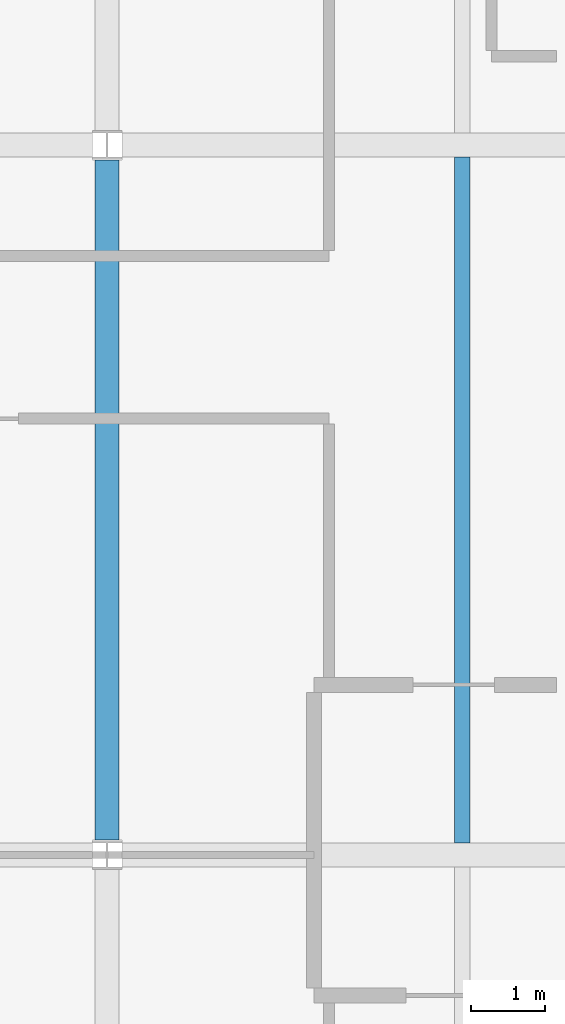
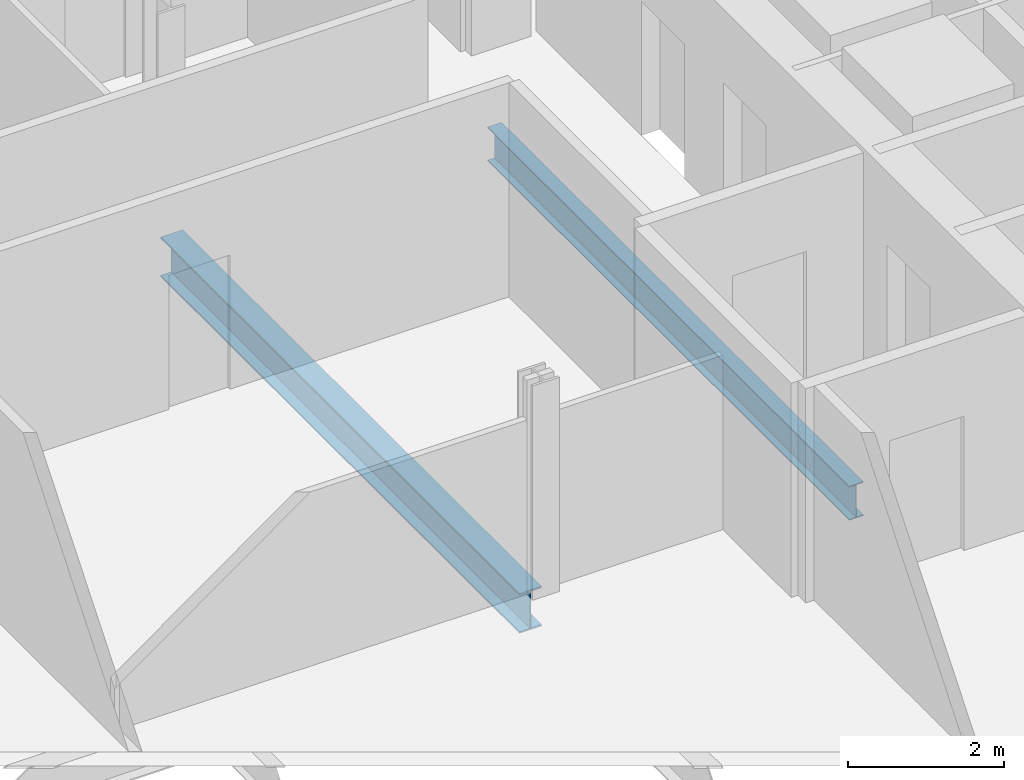
# One storey, part 5 of 20: 2 beams.
"""IFC4 building model written with IfcOpenShell, lengths in metres."""

import ifcopenshell
import ifcopenshell.guid

model = None  # the IFC model being written
_history = None  # IfcOwnerHistory: only IFC2X3 demands one
_inside = {}  # id of a spatial element -> (the spatial element, [elements in it])
_under = {}  # id of a project, library or spatial element -> (it, [spatial elements below it])
_declared = {}  # id of a project -> (the project, [libraries it declares])
_typed = {}  # id of a type object -> (the type object, [elements of that type])
_made_of = {}  # id of a material, layer set ... -> (it, [elements and type objects made of it])


def new_model(schema):
    """Start an empty IFC model of exactly this schema.

    Asked for "IFC4X3", IfcOpenShell would pick the latest addendum, in which some entities
    have other attributes; the version numbers below select the first issue.
    IFC2X3 requires an IfcOwnerHistory on every rooted entity: one is made here for all.
    """
    global model, _history
    if schema == "IFC4X3":
        model = ifcopenshell.file(schema_version=(4, 3, 0, 0))
    else:
        model = ifcopenshell.file(schema=schema)
    _inside.clear()
    _under.clear()
    _declared.clear()
    _typed.clear()
    _made_of.clear()
    _history = None
    if model.schema == "IFC2X3":
        org = make("IfcOrganization", Name="unknown")
        user = make(
            "IfcPersonAndOrganization",
            ThePerson=make("IfcPerson", FamilyName="unknown"),
            TheOrganization=org,
        )
        app = make(
            "IfcApplication",
            ApplicationDeveloper=org,
            Version="unknown",
            ApplicationFullName="unknown",
            ApplicationIdentifier="unknown",
        )
        _history = make(
            "IfcOwnerHistory",
            OwningUser=user,
            OwningApplication=app,
            ChangeAction="ADDED",
            CreationDate=0,
        )
    return model


def make(cls, **values):
    """One entity of the class cls with the attributes given. An attribute that is None is left unset."""
    return model.create_entity(
        cls, **{name: value for name, value in values.items() if value is not None}
    )


def rooted(cls, **values):
    """An entity with a GlobalId (a new one), such as an element, a storey or a relation."""
    return make(cls, GlobalId=ifcopenshell.guid.new(), OwnerHistory=_history, **values)


def si_unit(unit_type, name, prefix=None):
    """IfcSIUnit, for example si_unit("LENGTHUNIT", "METRE", prefix="MILLI")."""
    return make("IfcSIUnit", UnitType=unit_type, Prefix=prefix, Name=name)


def assignment(units):
    """IfcUnitAssignment: the units of a project."""
    return None if units is None else make("IfcUnitAssignment", Units=units)


def point(xyz):
    """IfcCartesianPoint."""
    return None if xyz is None else make("IfcCartesianPoint", Coordinates=xyz)


def direction(xyz):
    """IfcDirection."""
    return None if xyz is None else make("IfcDirection", DirectionRatios=xyz)


def frame(location, z_axis=None, x_axis=None):
    """IfcAxis2Placement3D, a coordinate frame: its origin and axes. An axis left out is left unset."""
    return make(
        "IfcAxis2Placement3D",
        Location=point(location),
        Axis=direction(z_axis),
        RefDirection=direction(x_axis),
    )


def frame_2d(location, x_axis=None):
    """IfcAxis2Placement2D, a coordinate frame in the plane: its origin and x axis."""
    return make(
        "IfcAxis2Placement2D", Location=point(location), RefDirection=direction(x_axis)
    )


def origin():
    """The frame at (0, 0, 0) with its axes left unset."""
    return frame((0.0, 0.0, 0.0))


def origin_2d():
    """The frame at (0, 0) in the plane with its x axis left unset."""
    return frame_2d((0.0, 0.0))


def place(relative_to, where):
    """IfcLocalPlacement: puts the frame where relative to a parent placement (None: the world)."""
    return make(
        "IfcLocalPlacement", PlacementRelTo=relative_to, RelativePlacement=where
    )


def context(
    kind, dimensions, precision=None, world=None, true_north=None, identifier=None
):
    """IfcGeometricRepresentationContext, for example the 3D "Model" context."""
    return make(
        "IfcGeometricRepresentationContext",
        ContextIdentifier=identifier,
        ContextType=kind,
        CoordinateSpaceDimension=dimensions,
        Precision=precision,
        WorldCoordinateSystem=world,
        TrueNorth=true_north,
    )


def subcontext(parent, identifier, kind, view, scale=None):
    """IfcGeometricRepresentationSubContext, for example "Body" below "Model"."""
    return make(
        "IfcGeometricRepresentationSubContext",
        ContextIdentifier=identifier,
        ContextType=kind,
        ParentContext=parent,
        TargetScale=scale,
        TargetView=view,
    )


def project(units=None, contexts=None):
    """IfcProject with its units and contexts."""
    return rooted(
        "IfcProject",
        Name="project",
        RepresentationContexts=contexts,
        UnitsInContext=assignment(units),
    )


def spatial(cls, under=None, at=None, **own):
    """A site, building, storey or space (cls), placed at a placement, below another one or the project."""
    s = rooted(cls, ObjectPlacement=at, **own)
    if under is not None:
        _under.setdefault(under.id(), (under, []))[1].append(s)
    return s


def profile(cls, at=None, kind="AREA", **sizes):
    """A parametric profile (cls). Its sizes go by their IFC names, for example OverallWidth=200.0."""
    return make(cls, ProfileType=kind, Position=at, **sizes)


def i_section(**sizes):
    """IfcIShapeProfileDef."""
    return profile("IfcIShapeProfileDef", **sizes)


def extrude(swept, where, along, depth):
    """IfcExtrudedAreaSolid: the profile swept, set in the frame where, extruded along a direction by depth."""
    return make(
        "IfcExtrudedAreaSolid",
        SweptArea=swept,
        Position=where,
        ExtrudedDirection=direction(along),
        Depth=depth,
    )


def shape(context_of_items, identifier, shape_type, items):
    """IfcShapeRepresentation: the items that make up one representation, for example the "Body"."""
    return make(
        "IfcShapeRepresentation",
        ContextOfItems=context_of_items,
        RepresentationIdentifier=identifier,
        RepresentationType=shape_type,
        Items=items,
    )


def material(Name=None, Category=None):
    """IfcMaterial."""
    return make("IfcMaterial", Name=Name, Category=Category)


def material_profile(
    of_material, cross_section, Name=None, Category=None, Priority=None
):
    """IfcMaterialProfile: a cross section and its material."""
    return make(
        "IfcMaterialProfile",
        Name=Name,
        Material=of_material,
        Profile=cross_section,
        Priority=Priority,
        Category=Category,
    )


def profile_set(profiles, Name=None, composite=None):
    """IfcMaterialProfileSet."""
    return make(
        "IfcMaterialProfileSet",
        Name=Name,
        MaterialProfiles=profiles,
        CompositeProfile=composite,
    )


def made_of(thing, what):
    """Note that an element or type object is made of a material, layer set ...; save() writes the relation."""
    if what is not None:
        _made_of.setdefault(what.id(), (what, []))[1].append(thing)
    return thing


def type_object(cls, material=None, **own):
    """A type object (cls), such as IfcWallType, which elements share."""
    return made_of(rooted(cls, **own), material)


def element(
    cls,
    number,
    at=None,
    inside=None,
    cuts=None,
    type_object=None,
    material=None,
    context=None,
    identifier="Body",
    shape_type=None,
    held_by="IfcProductDefinitionShape",
    body=None,
    shapes=None,
    **own,
):
    """One element of the class cls, such as IfcWall. Its Tag is "e" and its number.

    at: its placement. inside: the storey or other place that contains it. cuts: it is an
    opening in that element (IfcRelVoidsElement). A single representation is given by context,
    identifier, shape_type and body (its items); several are given by shapes. held_by: the class
    of the entity that holds the representations. save() writes the other relations.
    """
    e = rooted(cls, Tag="e%d" % number, ObjectPlacement=at, **own)
    if body is not None:
        shapes = [shape(context, identifier, shape_type, body)]
    if shapes is not None:
        e.Representation = make(held_by, Representations=shapes)
    if inside is not None:
        _inside.setdefault(inside.id(), (inside, []))[1].append(e)
    if cuts is not None:
        rooted(
            "IfcRelVoidsElement", RelatingBuildingElement=cuts, RelatedOpeningElement=e
        )
    if type_object is not None:
        _typed.setdefault(type_object.id(), (type_object, []))[1].append(e)
    return made_of(e, material)


def aggregate(whole, parts):
    """IfcRelAggregates: a whole, such as a stair, and the parts it consists of."""
    return rooted("IfcRelAggregates", RelatingObject=whole, RelatedObjects=parts)


def save(model, path):
    """Write the relations noted so far, then the file.

    IfcRelAggregates (storeys below a building ...), IfcRelContainedInSpatialStructure (elements
    in a storey), IfcRelDefinesByType, IfcRelAssociatesMaterial and IfcRelDeclares: one each for
    every whole, place, type object, material and project.
    """
    for whole, parts in _under.values():
        aggregate(whole, parts)
    for where, things in _inside.values():
        rooted(
            "IfcRelContainedInSpatialStructure",
            RelatedElements=things,
            RelatingStructure=where,
        )
    for kind, things in _typed.values():
        rooted("IfcRelDefinesByType", RelatedObjects=things, RelatingType=kind)
    for what, things in _made_of.values():
        rooted("IfcRelAssociatesMaterial", RelatedObjects=things, RelatingMaterial=what)
    for by, libraries in _declared.values():
        rooted("IfcRelDeclares", RelatingContext=by, RelatedDefinitions=libraries)
    model.write(path)


model = new_model("IFC4")

# Units and contexts
model_context = context("Model", 3, precision=1e-05, world=origin(), true_north=direction((0.0, 1.0)))
body_context = subcontext(model_context, "Body", "Model", "MODEL_VIEW")
ifc_project = project(units=[si_unit("LENGTHUNIT", "METRE"), si_unit("AREAUNIT", "SQUARE_METRE"), si_unit("VOLUMEUNIT", "CUBIC_METRE"), si_unit("PLANEANGLEUNIT", "RADIAN"), si_unit("MASSUNIT", "GRAM", prefix="KILO")], contexts=[model_context])

# Site, building, storey
site_placement = place(None, origin())
site = spatial("IfcSite", under=ifc_project, at=site_placement, CompositionType="ELEMENT")
building_placement = place(site_placement, origin())
building = spatial("IfcBuilding", under=site, at=building_placement, Name="Cobrizo Arcos Hotel Tower", CompositionType="ELEMENT")
storey_placement = place(building_placement, frame((0.0, 0.0, 96.0)))
storey = spatial("IfcBuildingStorey", under=building, at=storey_placement, Name="L23", CompositionType="ELEMENT", Elevation=96.0)

# Beams
ifc_material = material(Name="Steel ASTM A992 Grade 50", Category="steel")
ifc_material_profile_1 = material_profile(ifc_material, i_section(OverallWidth=0.209228515625, OverallDepth=0.533447265625, WebThickness=0.01025390625, FlangeThickness=0.015625, at=origin_2d()), Name="W21X62")
ifc_profile_set_1 = profile_set([ifc_material_profile_1], Name="Steel ASTM A992 Grade 50")
beam_type_1 = type_object("IfcBeamType", Name="W21X62 joist", PredefinedType="JOIST", material=ifc_profile_set_1)
beam_1_placement = place(storey_placement, frame((14.39990234375, 0.163818359375, -0.416748046875), z_axis=(0.0, 1.0, 0.0), x_axis=(-1.0, 0.0, 0.0)))
element("IfcBeam", 1, at=beam_1_placement, inside=storey, type_object=beam_type_1, Name="Floor joist J1, L23, no. 017", PredefinedType="JOIST", context=body_context, shape_type="SweptSolid", body=[
    extrude(i_section(OverallWidth=0.209228515625, OverallDepth=0.533447265625, WebThickness=0.01025390625, FlangeThickness=0.015625, at=origin_2d()), origin(), (0.0, 0.0, 1.0), 9.272216796875),
])
ifc_material_profile_2 = material_profile(ifc_material, i_section(OverallWidth=0.32763671875, OverallDepth=0.622314453125, WebThickness=0.015380859375, FlangeThickness=0.0244140625, at=origin_2d()), Name="W24X131")
ifc_profile_set_2 = profile_set([ifc_material_profile_2], Name="Steel ASTM A992 Grade 50")
beam_type_2 = type_object("IfcBeamType", Name="W24X131 girder", PredefinedType="BEAM", material=ifc_profile_set_2)
beam_2_placement = place(storey_placement, frame((9.60009765625, 0.199462890625, -0.461181640625), z_axis=(0.0, 1.0, 0.0), x_axis=(-1.0, 0.0, 0.0)))
element("IfcBeam", 2, at=beam_2_placement, inside=storey, type_object=beam_type_2, Name="Floor girder G1, L23, no. 023", PredefinedType="BEAM", context=body_context, shape_type="SweptSolid", body=[
    extrude(i_section(OverallWidth=0.32763671875, OverallDepth=0.622314453125, WebThickness=0.015380859375, FlangeThickness=0.0244140625, at=origin_2d()), origin(), (0.0, 0.0, 1.0), 9.201171875),
])

save(model, "model.ifc")
